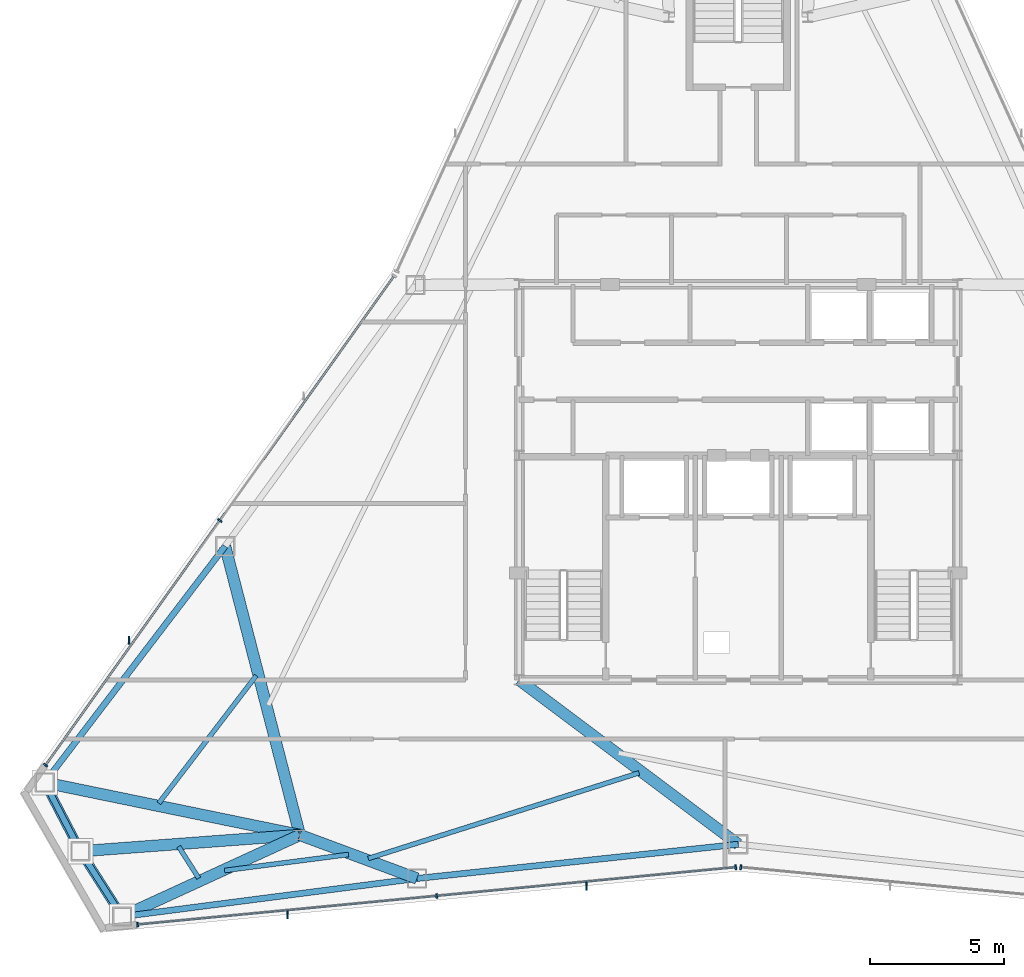
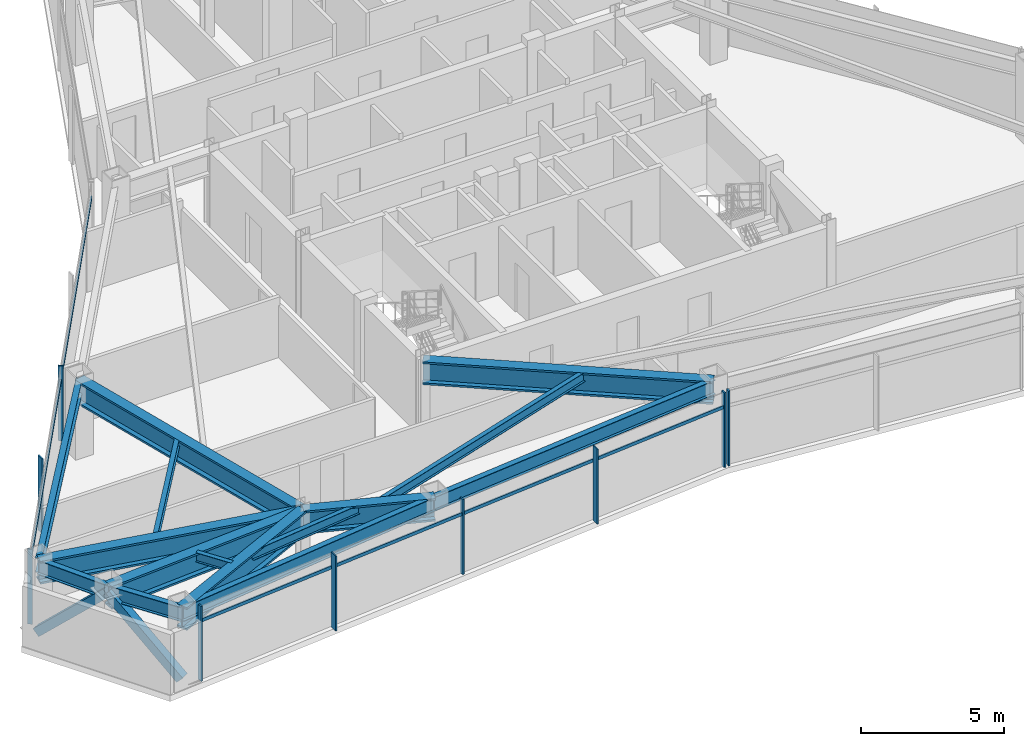
# One storey, part 3 of 11: 15 beams, 13 members, 3 elements without a shape of their own.
"""IFC4 building model written with IfcOpenShell, lengths in metres."""

import ifcopenshell
import ifcopenshell.guid

model = None  # the IFC model being written
_history = None  # IfcOwnerHistory: only IFC2X3 demands one
_inside = {}  # id of a spatial element -> (the spatial element, [elements in it])
_under = {}  # id of a project, library or spatial element -> (it, [spatial elements below it])
_declared = {}  # id of a project -> (the project, [libraries it declares])
_typed = {}  # id of a type object -> (the type object, [elements of that type])
_made_of = {}  # id of a material, layer set ... -> (it, [elements and type objects made of it])


def new_model(schema):
    """Start an empty IFC model of exactly this schema.

    Asked for "IFC4X3", IfcOpenShell would pick the latest addendum, in which some entities
    have other attributes; the version numbers below select the first issue.
    IFC2X3 requires an IfcOwnerHistory on every rooted entity: one is made here for all.
    """
    global model, _history
    if schema == "IFC4X3":
        model = ifcopenshell.file(schema_version=(4, 3, 0, 0))
    else:
        model = ifcopenshell.file(schema=schema)
    _inside.clear()
    _under.clear()
    _declared.clear()
    _typed.clear()
    _made_of.clear()
    _history = None
    if model.schema == "IFC2X3":
        org = make("IfcOrganization", Name="unknown")
        user = make(
            "IfcPersonAndOrganization",
            ThePerson=make("IfcPerson", FamilyName="unknown"),
            TheOrganization=org,
        )
        app = make(
            "IfcApplication",
            ApplicationDeveloper=org,
            Version="unknown",
            ApplicationFullName="unknown",
            ApplicationIdentifier="unknown",
        )
        _history = make(
            "IfcOwnerHistory",
            OwningUser=user,
            OwningApplication=app,
            ChangeAction="ADDED",
            CreationDate=0,
        )
    return model


def make(cls, **values):
    """One entity of the class cls with the attributes given. An attribute that is None is left unset."""
    return model.create_entity(
        cls, **{name: value for name, value in values.items() if value is not None}
    )


def rooted(cls, **values):
    """An entity with a GlobalId (a new one), such as an element, a storey or a relation."""
    return make(cls, GlobalId=ifcopenshell.guid.new(), OwnerHistory=_history, **values)


def si_unit(unit_type, name, prefix=None):
    """IfcSIUnit, for example si_unit("LENGTHUNIT", "METRE", prefix="MILLI")."""
    return make("IfcSIUnit", UnitType=unit_type, Prefix=prefix, Name=name)


def assignment(units):
    """IfcUnitAssignment: the units of a project."""
    return None if units is None else make("IfcUnitAssignment", Units=units)


def point(xyz):
    """IfcCartesianPoint."""
    return None if xyz is None else make("IfcCartesianPoint", Coordinates=xyz)


def direction(xyz):
    """IfcDirection."""
    return None if xyz is None else make("IfcDirection", DirectionRatios=xyz)


def frame(location, z_axis=None, x_axis=None):
    """IfcAxis2Placement3D, a coordinate frame: its origin and axes. An axis left out is left unset."""
    return make(
        "IfcAxis2Placement3D",
        Location=point(location),
        Axis=direction(z_axis),
        RefDirection=direction(x_axis),
    )


def frame_2d(location, x_axis=None):
    """IfcAxis2Placement2D, a coordinate frame in the plane: its origin and x axis."""
    return make(
        "IfcAxis2Placement2D", Location=point(location), RefDirection=direction(x_axis)
    )


def origin():
    """The frame at (0, 0, 0) with its axes left unset."""
    return frame((0.0, 0.0, 0.0))


def origin_2d():
    """The frame at (0, 0) in the plane with its x axis left unset."""
    return frame_2d((0.0, 0.0))


def place(relative_to, where):
    """IfcLocalPlacement: puts the frame where relative to a parent placement (None: the world)."""
    return make(
        "IfcLocalPlacement", PlacementRelTo=relative_to, RelativePlacement=where
    )


def context(
    kind, dimensions, precision=None, world=None, true_north=None, identifier=None
):
    """IfcGeometricRepresentationContext, for example the 3D "Model" context."""
    return make(
        "IfcGeometricRepresentationContext",
        ContextIdentifier=identifier,
        ContextType=kind,
        CoordinateSpaceDimension=dimensions,
        Precision=precision,
        WorldCoordinateSystem=world,
        TrueNorth=true_north,
    )


def subcontext(parent, identifier, kind, view, scale=None):
    """IfcGeometricRepresentationSubContext, for example "Body" below "Model"."""
    return make(
        "IfcGeometricRepresentationSubContext",
        ContextIdentifier=identifier,
        ContextType=kind,
        ParentContext=parent,
        TargetScale=scale,
        TargetView=view,
    )


def project(units=None, contexts=None):
    """IfcProject with its units and contexts."""
    return rooted(
        "IfcProject",
        Name="project",
        RepresentationContexts=contexts,
        UnitsInContext=assignment(units),
    )


def spatial(cls, under=None, at=None, **own):
    """A site, building, storey or space (cls), placed at a placement, below another one or the project."""
    s = rooted(cls, ObjectPlacement=at, **own)
    if under is not None:
        _under.setdefault(under.id(), (under, []))[1].append(s)
    return s


def profile(cls, at=None, kind="AREA", **sizes):
    """A parametric profile (cls). Its sizes go by their IFC names, for example OverallWidth=200.0."""
    return make(cls, ProfileType=kind, Position=at, **sizes)


def rectangle(**sizes):
    """IfcRectangleProfileDef."""
    return profile("IfcRectangleProfileDef", **sizes)


def hollow_rectangle(**sizes):
    """IfcRectangleHollowProfileDef."""
    return profile("IfcRectangleHollowProfileDef", **sizes)


def i_section(**sizes):
    """IfcIShapeProfileDef."""
    return profile("IfcIShapeProfileDef", **sizes)


def extrude(swept, where, along, depth):
    """IfcExtrudedAreaSolid: the profile swept, set in the frame where, extruded along a direction by depth."""
    return make(
        "IfcExtrudedAreaSolid",
        SweptArea=swept,
        Position=where,
        ExtrudedDirection=direction(along),
        Depth=depth,
    )


def shape(context_of_items, identifier, shape_type, items):
    """IfcShapeRepresentation: the items that make up one representation, for example the "Body"."""
    return make(
        "IfcShapeRepresentation",
        ContextOfItems=context_of_items,
        RepresentationIdentifier=identifier,
        RepresentationType=shape_type,
        Items=items,
    )


def source(mapping_origin, context_of_items, identifier, shape_type, items):
    """IfcRepresentationMap: a shape defined once, which mapped items show again and again."""
    return make(
        "IfcRepresentationMap",
        MappingOrigin=mapping_origin,
        MappedRepresentation=shape(context_of_items, identifier, shape_type, items),
    )


def transform(
    local_origin,
    x_axis=None,
    y_axis=None,
    z_axis=None,
    scale=None,
    scale2=None,
    scale3=None,
    uniform=True,
):
    """IfcCartesianTransformationOperator3D, or its non-uniform kind. x_axis, y_axis, z_axis: its Axis1, 2, 3."""
    if uniform:
        return make(
            "IfcCartesianTransformationOperator3D",
            Axis1=direction(x_axis),
            Axis2=direction(y_axis),
            LocalOrigin=point(local_origin),
            Scale=scale,
            Axis3=direction(z_axis),
        )
    return make(
        "IfcCartesianTransformationOperator3DnonUniform",
        Axis1=direction(x_axis),
        Axis2=direction(y_axis),
        LocalOrigin=point(local_origin),
        Scale=scale,
        Axis3=direction(z_axis),
        Scale2=scale2,
        Scale3=scale3,
    )


def mapped(mapping_source, mapping_target):
    """IfcMappedItem: shows the shape of a source again, moved by a transform."""
    return make(
        "IfcMappedItem", MappingSource=mapping_source, MappingTarget=mapping_target
    )


def material(Name=None, Category=None):
    """IfcMaterial."""
    return make("IfcMaterial", Name=Name, Category=Category)


def layer(
    of_material, thickness, ventilated=None, Name=None, Category=None, Priority=None
):
    """IfcMaterialLayer: one layer of a wall or slab, of a material (None: an air gap)."""
    return make(
        "IfcMaterialLayer",
        Material=of_material,
        LayerThickness=thickness,
        IsVentilated=ventilated,
        Name=Name,
        Category=Category,
        Priority=Priority,
    )


def layer_set(layers, Name=None):
    """IfcMaterialLayerSet."""
    return make("IfcMaterialLayerSet", MaterialLayers=layers, LayerSetName=Name)


def material_profile(
    of_material, cross_section, Name=None, Category=None, Priority=None
):
    """IfcMaterialProfile: a cross section and its material."""
    return make(
        "IfcMaterialProfile",
        Name=Name,
        Material=of_material,
        Profile=cross_section,
        Priority=Priority,
        Category=Category,
    )


def profile_set(profiles, Name=None, composite=None):
    """IfcMaterialProfileSet."""
    return make(
        "IfcMaterialProfileSet",
        Name=Name,
        MaterialProfiles=profiles,
        CompositeProfile=composite,
    )


def made_of(thing, what):
    """Note that an element or type object is made of a material, layer set ...; save() writes the relation."""
    if what is not None:
        _made_of.setdefault(what.id(), (what, []))[1].append(thing)
    return thing


def type_object(cls, material=None, **own):
    """A type object (cls), such as IfcWallType, which elements share."""
    return made_of(rooted(cls, **own), material)


def type_shapes(of_type, sources):
    """Give a type object the sources (RepresentationMaps) that its elements show as mapped items."""
    of_type.RepresentationMaps = sources


def element(
    cls,
    number,
    at=None,
    inside=None,
    cuts=None,
    type_object=None,
    material=None,
    context=None,
    identifier="Body",
    shape_type=None,
    held_by="IfcProductDefinitionShape",
    body=None,
    shapes=None,
    **own,
):
    """One element of the class cls, such as IfcWall. Its Tag is "e" and its number.

    at: its placement. inside: the storey or other place that contains it. cuts: it is an
    opening in that element (IfcRelVoidsElement). A single representation is given by context,
    identifier, shape_type and body (its items); several are given by shapes. held_by: the class
    of the entity that holds the representations. save() writes the other relations.
    """
    e = rooted(cls, Tag="e%d" % number, ObjectPlacement=at, **own)
    if body is not None:
        shapes = [shape(context, identifier, shape_type, body)]
    if shapes is not None:
        e.Representation = make(held_by, Representations=shapes)
    if inside is not None:
        _inside.setdefault(inside.id(), (inside, []))[1].append(e)
    if cuts is not None:
        rooted(
            "IfcRelVoidsElement", RelatingBuildingElement=cuts, RelatedOpeningElement=e
        )
    if type_object is not None:
        _typed.setdefault(type_object.id(), (type_object, []))[1].append(e)
    return made_of(e, material)


def aggregate(whole, parts):
    """IfcRelAggregates: a whole, such as a stair, and the parts it consists of."""
    return rooted("IfcRelAggregates", RelatingObject=whole, RelatedObjects=parts)


def save(model, path):
    """Write the relations noted so far, then the file.

    IfcRelAggregates (storeys below a building ...), IfcRelContainedInSpatialStructure (elements
    in a storey), IfcRelDefinesByType, IfcRelAssociatesMaterial and IfcRelDeclares: one each for
    every whole, place, type object, material and project.
    """
    for whole, parts in _under.values():
        aggregate(whole, parts)
    for where, things in _inside.values():
        rooted(
            "IfcRelContainedInSpatialStructure",
            RelatedElements=things,
            RelatingStructure=where,
        )
    for kind, things in _typed.values():
        rooted("IfcRelDefinesByType", RelatedObjects=things, RelatingType=kind)
    for what, things in _made_of.values():
        rooted("IfcRelAssociatesMaterial", RelatedObjects=things, RelatingMaterial=what)
    for by, libraries in _declared.values():
        rooted("IfcRelDeclares", RelatingContext=by, RelatedDefinitions=libraries)
    model.write(path)


model = new_model("IFC4")

# Units and contexts
model_context = context("Model", 3, precision=1e-05, world=origin(), true_north=direction((0.0, 1.0)))
body_context = subcontext(model_context, "Body", "Model", "MODEL_VIEW")
ifc_project = project(units=[si_unit("LENGTHUNIT", "METRE"), si_unit("AREAUNIT", "SQUARE_METRE"), si_unit("VOLUMEUNIT", "CUBIC_METRE"), si_unit("PLANEANGLEUNIT", "RADIAN"), si_unit("MASSUNIT", "GRAM", prefix="KILO")], contexts=[model_context])

# Site, building, storey
site_placement = place(None, origin())
site = spatial("IfcSite", under=ifc_project, at=site_placement, CompositionType="ELEMENT")
building_placement = place(site_placement, origin())
building = spatial("IfcBuilding", under=site, at=building_placement, Name="Varakhsha Concourse Tower", CompositionType="ELEMENT")
storey_placement = place(building_placement, frame((0.0, 0.0, 246.89990234375)))
storey = spatial("IfcBuildingStorey", under=building, at=storey_placement, Name="L70", CompositionType="ELEMENT", Elevation=246.89990234375)

# Beams
ifc_material_1 = material(Name="Structural Steel ASTM A992 Grade 50", Category="steel")
ifc_material_profile_1 = material_profile(ifc_material_1, i_section(OverallWidth=0.177978515625, OverallDepth=0.406982421875, WebThickness=0.008056640625, FlangeThickness=0.012939453125, at=origin_2d()), Name="W16X40")
ifc_profile_set_1 = profile_set([ifc_material_profile_1], Name="Structural Steel ASTM A992 Grade 50")
beam_type_1 = type_object("IfcBeamType", Name="BM-JST-W16X40", PredefinedType="JOIST", material=ifc_profile_set_1)
beam_1_placement = place(storey_placement, frame((21.966796875, 16.562744140625, 2.99658203125), z_axis=(-0.606952330992, -0.794738238606, 0.0), x_axis=(0.794738238606, -0.606952330992, 0.0)))
element("IfcBeam", 1, at=beam_1_placement, inside=storey, type_object=beam_type_1, Name="BM-TJST-L70-06", PredefinedType="JOIST", context=body_context, shape_type="SweptSolid", body=[
    extrude(i_section(OverallWidth=0.177978515625, OverallDepth=0.406982421875, WebThickness=0.008056640625, FlangeThickness=0.012939453125, at=origin_2d()), origin(), (0.0, 0.0, 1.0), 6.009033203125),
])
beam_2_placement = place(storey_placement, frame((19.0615234375, 10.16650390625, 2.99658203125), z_axis=(0.537325488546, -0.84337495775, 0.0), x_axis=(0.84337495775, 0.537325488546, 0.0)))
element("IfcBeam", 2, at=beam_2_placement, inside=storey, type_object=beam_type_1, Name="BM-TJST-L70-08", PredefinedType="JOIST", context=body_context, shape_type="SweptSolid", body=[
    extrude(i_section(OverallWidth=0.177978515625, OverallDepth=0.406982421875, WebThickness=0.008056640625, FlangeThickness=0.012939453125, at=origin_2d()), origin(), (0.0, 0.0, 1.0), 1.404052734375),
])
beam_3_placement = place(storey_placement, frame((20.7822265625, 9.270263671875, 2.99658203125), z_axis=(0.991739333066, 0.128269619359, 0.0), x_axis=(-0.128269619359, 0.991739333066, 0.0)))
element("IfcBeam", 3, at=beam_3_placement, inside=storey, type_object=beam_type_1, Name="BM-TJST-L70-09", PredefinedType="JOIST", context=body_context, shape_type="SweptSolid", body=[
    extrude(i_section(OverallWidth=0.177978515625, OverallDepth=0.406982421875, WebThickness=0.008056640625, FlangeThickness=0.012939453125, at=origin_2d()), origin(), (0.0, 0.0, 1.0), 4.674560546875),
])
beam_4_placement = place(storey_placement, frame((26.15771484375, 9.721923828125, 2.99658203125), z_axis=(0.953490927585, 0.301421716226, 0.0), x_axis=(-0.301421716226, 0.953490927585, 0.0)))
element("IfcBeam", 4, at=beam_4_placement, inside=storey, type_object=beam_type_1, Name="BM-TJST-L70-10", PredefinedType="JOIST", context=body_context, shape_type="SweptSolid", body=[
    extrude(i_section(OverallWidth=0.177978515625, OverallDepth=0.406982421875, WebThickness=0.008056640625, FlangeThickness=0.012939453125, at=origin_2d()), origin(), (0.0, 0.0, 1.0), 10.62353515625),
])
ifc_material_profile_2 = material_profile(ifc_material_1, i_section(OverallWidth=0.22900390625, OverallDepth=0.612060546875, WebThickness=0.011962890625, FlangeThickness=0.02001953125, at=origin_2d()), Name="W24X84")
ifc_profile_set_2 = profile_set([ifc_material_profile_2], Name="Structural Steel ASTM A992 Grade 50")
beam_type_2 = type_object("IfcBeamType", Name="BM-SPAN-W24X84", PredefinedType="SPANDREL", material=ifc_profile_set_2)
beam_5_placement = place(storey_placement, frame((20.802978515625, 21.404052734375, 2.89404296875), z_axis=(-0.606965274868, -0.794728353027, 0.0), x_axis=(0.794728353027, -0.606965274868, 0.0)))
element("IfcBeam", 5, at=beam_5_placement, inside=storey, type_object=beam_type_2, Name="BM-SPAN-L70-06", PredefinedType="SPANDREL", context=body_context, shape_type="SweptSolid", body=[
    extrude(i_section(OverallWidth=0.22900390625, OverallDepth=0.612060546875, WebThickness=0.011962890625, FlangeThickness=0.02001953125, at=origin_2d()), origin(), (0.0, 0.0, 1.0), 11.123779296875),
])
beam_6_placement = place(storey_placement, frame((14.05126953125, 12.563720703125, 2.89404296875), z_axis=(0.461636364541, -0.887069257123, 0.0), x_axis=(0.887069257123, 0.461636364541, 0.0)))
element("IfcBeam", 6, at=beam_6_placement, inside=storey, type_object=beam_type_2, Name="BM-SPAN-L70-07", PredefinedType="SPANDREL", context=body_context, shape_type="SweptSolid", body=[
    extrude(i_section(OverallWidth=0.22900390625, OverallDepth=0.612060546875, WebThickness=0.011962890625, FlangeThickness=0.02001953125, at=origin_2d()), origin(), (0.0, 0.0, 1.0), 2.899658203125),
])
beam_7_placement = place(storey_placement, frame((15.389892578125, 9.991455078125, 2.89404296875), z_axis=(0.537387469164, -0.843335465865, 0.0), x_axis=(0.843335465865, 0.537387469164, 0.0)))
element("IfcBeam", 7, at=beam_7_placement, inside=storey, type_object=beam_type_2, Name="BM-SPAN-L70-08", PredefinedType="SPANDREL", context=body_context, shape_type="SweptSolid", body=[
    extrude(i_section(OverallWidth=0.22900390625, OverallDepth=0.612060546875, WebThickness=0.011962890625, FlangeThickness=0.02001953125, at=origin_2d()), origin(), (0.0, 0.0, 1.0), 2.89990234375),
])
beam_8_placement = place(storey_placement, frame((16.9482421875, 7.5458984375, 2.89404296875), z_axis=(0.991737290812, 0.128285408418, 0.0), x_axis=(-0.128285408418, 0.991737290812, 0.0)))
element("IfcBeam", 8, at=beam_8_placement, inside=storey, type_object=beam_type_2, Name="BM-SPAN-L70-09", PredefinedType="SPANDREL", context=body_context, shape_type="SweptSolid", body=[
    extrude(i_section(OverallWidth=0.22900390625, OverallDepth=0.612060546875, WebThickness=0.011962890625, FlangeThickness=0.02001953125, at=origin_2d()), origin(), (0.0, 0.0, 1.0), 11.12353515625),
])
beam_9_placement = place(storey_placement, frame((27.97998046875, 8.972900390625, 2.89404296875), z_axis=(0.994383939653, 0.1058327953, 0.0), x_axis=(-0.1058327953, 0.994383939653, 0.0)))
element("IfcBeam", 9, at=beam_9_placement, inside=storey, type_object=beam_type_2, Name="BM-SPAN-L70-10", PredefinedType="SPANDREL", context=body_context, shape_type="SweptSolid", body=[
    extrude(i_section(OverallWidth=0.22900390625, OverallDepth=0.612060546875, WebThickness=0.011962890625, FlangeThickness=0.02001953125, at=origin_2d()), origin(), (0.0, 0.0, 1.0), 12.087890625),
])
ifc_material_profile_3 = material_profile(ifc_material_1, i_section(OverallWidth=0.427978515625, OverallDepth=0.97509765625, WebThickness=0.050048828125, FlangeThickness=0.0810546875, at=origin_2d()), Name="W36X395")
ifc_profile_set_3 = profile_set([ifc_material_profile_3], Name="Structural Steel ASTM A992 Grade 50")
beam_type_3 = type_object("IfcBeamType", Name="BM-XFER-W36X395", PredefinedType="USERDEFINED", material=ifc_profile_set_3)
beam_10_placement = place(storey_placement, frame((23.60009765625, 10.60009765625, 2.712646484375), z_axis=(-0.250634171989, 0.968081872484, 0.0), x_axis=(-0.968081872484, -0.250634171989, 0.0)))
element("IfcBeam", 10, at=beam_10_placement, inside=storey, type_object=beam_type_3, Name="L70 Radial Floor Girder 06", ObjectType="GIRDER", PredefinedType="USERDEFINED", context=body_context, shape_type="SweptSolid", body=[
    extrude(i_section(OverallWidth=0.427978515625, OverallDepth=0.97509765625, WebThickness=0.050048828125, FlangeThickness=0.0810546875, at=origin_2d()), origin(), (0.0, 0.0, 1.0), 11.16015625),
])
beam_11_placement = place(storey_placement, frame((23.60009765625, 10.60009765625, 2.712646484375), z_axis=(-0.979503861801, 0.201425382503, 0.0), x_axis=(-0.201425382503, -0.979503861801, 0.0)))
element("IfcBeam", 11, at=beam_11_placement, inside=storey, type_object=beam_type_3, Name="L70 Radial Floor Girder 07", ObjectType="GIRDER", PredefinedType="USERDEFINED", context=body_context, shape_type="SweptSolid", body=[
    extrude(i_section(OverallWidth=0.427978515625, OverallDepth=0.97509765625, WebThickness=0.050048828125, FlangeThickness=0.0810546875, at=origin_2d()), origin(), (0.0, 0.0, 1.0), 9.74853515625),
])
beam_12_placement = place(storey_placement, frame((23.60009765625, 10.60009765625, 2.712646484375), z_axis=(-0.997263464351, -0.073929579132, 0.0), x_axis=(0.073929579132, -0.997263464351, 0.0)))
element("IfcBeam", 12, at=beam_12_placement, inside=storey, type_object=beam_type_3, Name="L70 Radial Floor Girder 08", ObjectType="GIRDER", PredefinedType="USERDEFINED", context=body_context, shape_type="SweptSolid", body=[
    extrude(i_section(OverallWidth=0.427978515625, OverallDepth=0.97509765625, WebThickness=0.050048828125, FlangeThickness=0.0810546875, at=origin_2d()), origin(), (0.0, 0.0, 1.0), 8.232666015625),
])
beam_13_placement = place(storey_placement, frame((23.60009765625, 10.60009765625, 2.712646484375), z_axis=(-0.908783517298, -0.417267921948, 0.0), x_axis=(0.417267921948, -0.908783517298, 0.0)))
element("IfcBeam", 13, at=beam_13_placement, inside=storey, type_object=beam_type_3, Name="L70 Radial Floor Girder 09", ObjectType="GIRDER", PredefinedType="USERDEFINED", context=body_context, shape_type="SweptSolid", body=[
    extrude(i_section(OverallWidth=0.427978515625, OverallDepth=0.97509765625, WebThickness=0.050048828125, FlangeThickness=0.0810546875, at=origin_2d()), origin(), (0.0, 0.0, 1.0), 7.319580078125),
])
beam_14_placement = place(storey_placement, frame((23.60009765625, 10.60009765625, 2.712646484375), z_axis=(0.937398468599, -0.348258684125, 0.0), x_axis=(0.348258684125, 0.937398468599, 0.0)))
element("IfcBeam", 14, at=beam_14_placement, inside=storey, type_object=beam_type_3, Name="L70 Radial Floor Girder 10", ObjectType="GIRDER", PredefinedType="USERDEFINED", context=body_context, shape_type="SweptSolid", body=[
    extrude(i_section(OverallWidth=0.427978515625, OverallDepth=0.97509765625, WebThickness=0.050048828125, FlangeThickness=0.0810546875, at=origin_2d()), origin(), (0.0, 0.0, 1.0), 4.67236328125),
])
beam_15_placement = place(storey_placement, frame((31.800048828125, 16.39990234375, 2.712646484375), z_axis=(0.800105756753, -0.5998589651, 0.0), x_axis=(0.5998589651, 0.800105756753, 0.0)))
element("IfcBeam", 15, at=beam_15_placement, inside=storey, type_object=beam_type_3, Name="L70 Radial Floor Girder 11", ObjectType="GIRDER", PredefinedType="USERDEFINED", context=body_context, shape_type="SweptSolid", body=[
    extrude(i_section(OverallWidth=0.427978515625, OverallDepth=0.97509765625, WebThickness=0.050048828125, FlangeThickness=0.0810546875, at=origin_2d()), origin(), (0.0, 0.0, 1.0), 10.24853515625),
])

# Members
ifc_material_2 = material(Name="Structural Steel ASTM A500 Grade C", Category="steel")
ifc_material_profile_4 = material_profile(ifc_material_2, hollow_rectangle(XDim=0.35009765625, YDim=0.35009765625, WallThickness=0.01611328125, at=origin_2d()), Name="HSS 350x350x16")
ifc_profile_set_4 = profile_set([ifc_material_profile_4], Name="Structural Steel ASTM A500 Grade C")
member_type_1 = type_object("IfcMemberType", Name="MB-TUBE-HSS350", PredefinedType="BRACE", material=ifc_profile_set_4)
shared_shape_1 = source(origin(), body_context, "Body", "SweptSolid", [
    extrude(hollow_rectangle(XDim=0.35009765625, YDim=0.35009765625, WallThickness=0.01611328125, at=origin_2d()), origin(), (0.0, 0.0, 1.0), 4.01708984375),
])
type_shapes(member_type_1, [shared_shape_1])
for number, where, z_axis, x_axis, name in (
    (16, (14.05126953125, 12.563720703125, 0.1201171875), (0.333231894371, -0.64033033724, 0.692050261024), (0.887069257123, 0.461636364541, 0.0), "L70 Wind-Corner Tube Brace B03"),
    (17, (16.9482421875, 7.5458984375, 0.1201171875), (-0.387920937581, 0.608773935728, 0.692034422095), (-0.843335465865, -0.537387469164, 0.0), "L70 Wind-Corner Tube Brace B04"),
):
    element("IfcMember", number, at=place(storey_placement, frame(where, z_axis=z_axis, x_axis=x_axis)), inside=storey, type_object=member_type_1, Name=name, PredefinedType="BRACE", context=body_context, shape_type="MappedRepresentation", body=[
        mapped(shared_shape_1, transform((0.0, 0.0, 0.0), scale=1.0)),
    ])

# Curtain wall, member
ifc_material_3 = material(Name="Anodised Bronze Architectural Aluminium AA 6063-T6", Category="aluminium")
ifc_layer = layer(ifc_material_3, 0.199951171875, Name="CW-SYS-05")
ifc_layer_set = layer_set([ifc_layer], Name="Anodised Bronze Architectural Aluminium AA 6063-T6")
curtain_wall_type = type_object("IfcCurtainWallType", Name="CW-SYS-05", PredefinedType="NOTDEFINED", material=ifc_layer_set)
curtain_wall_1_placement = place(storey_placement, origin())
curtain_wall_1 = element("IfcCurtainWall", 18, at=curtain_wall_1_placement, inside=storey, type_object=curtain_wall_type, Name="L70 Crystal Curtain Wall F3", PredefinedType="NOTDEFINED")
ifc_material_profile_5 = material_profile(ifc_material_3, rectangle(XDim=0.06005859375, YDim=0.139892578125, at=origin_2d()), Name="CWT-140X60")
ifc_profile_set_5 = profile_set([ifc_material_profile_5], Name="Anodised Bronze Architectural Aluminium AA 6063-T6")
member_type_2 = type_object("IfcMemberType", Name="CWT-140X60", PredefinedType="USERDEFINED", material=ifc_profile_set_5)
shared_shape_2 = source(origin(), body_context, "Body", "SweptSolid", [
    extrude(rectangle(XDim=0.06005859375, YDim=0.139892578125, at=origin_2d()), origin(), (0.0, 0.0, 1.0), 22.4814453125),
])
type_shapes(member_type_2, [shared_shape_2])
member_1_placement = place(storey_placement, frame((14.082275390625, 13.213134765625, 2.550048828125), z_axis=(0.580307112199, 0.814397725642, 0.0), x_axis=(-0.814397725642, 0.580307112199, 0.0)))
member_1 = element("IfcMember", 19, at=member_1_placement, type_object=member_type_2, Name="CW-L70-F3 Transom 01", ObjectType="TRANSOM", PredefinedType="USERDEFINED", context=body_context, shape_type="MappedRepresentation", body=[
    mapped(shared_shape_2, transform((0.0, 0.0, 0.0), scale=1.0)),
])

curtain_wall_2_placement = place(storey_placement, origin())
curtain_wall_2 = element("IfcCurtainWall", 20, at=curtain_wall_2_placement, inside=storey, type_object=curtain_wall_type, Name="L70 Crystal Curtain Wall F5", PredefinedType="NOTDEFINED")
member_2_placement = place(storey_placement, frame((39.905029296875, 9.391845703125, 2.550048828125), z_axis=(-0.995442950153, -0.095358969119, 0.0), x_axis=(0.095358969119, -0.995442950153, 0.0)))
member_2 = element("IfcMember", 21, at=member_2_placement, type_object=member_type_2, Name="CW-L70-F5 Transom 01", ObjectType="TRANSOM", PredefinedType="USERDEFINED", context=body_context, shape_type="MappedRepresentation", body=[
    mapped(shared_shape_2, transform((0.0, 0.0, 0.0), scale=1.0)),
])

# Member
ifc_material_profile_6 = material_profile(ifc_material_3, rectangle(XDim=0.06494140625, YDim=0.179931640625, at=origin_2d()), Name="CWM-180X65")
ifc_profile_set_6 = profile_set([ifc_material_profile_6], Name="Anodised Bronze Architectural Aluminium AA 6063-T6")
member_type_3 = type_object("IfcMemberType", Name="CWM-180X65", PredefinedType="MULLION", material=ifc_profile_set_6)
shared_shape_3 = source(origin(), body_context, "Body", "SweptSolid", [
    extrude(rectangle(XDim=0.06494140625, YDim=0.179931640625, at=origin_2d()), origin(), (0.0, 0.0, 1.0), 3.2001953125),
])
type_shapes(member_type_3, [shared_shape_3])
member_3_placement = place(storey_placement, frame((14.082275390625, 13.213134765625, 0.0), z_axis=(0.0, 0.0, 1.0), x_axis=(0.580306455883, 0.814398193306, 0.0)))
member_3 = element("IfcMember", 22, at=member_3_placement, type_object=member_type_3, Name="CW-L70-F3 Mullion 00", PredefinedType="MULLION", context=body_context, shape_type="MappedRepresentation", body=[
    mapped(shared_shape_3, transform((0.0, 0.0, 0.0), scale=1.0)),
])

member_4_placement = place(storey_placement, frame((20.60546875, 22.367431640625, 0.0), z_axis=(0.0, 0.0, 1.0), x_axis=(0.580306455883, 0.814398193306, 0.0)))
member_4 = element("IfcMember", 23, at=member_4_placement, type_object=member_type_3, Name="CW-L70-F3 Mullion 01", PredefinedType="MULLION", context=body_context, shape_type="MappedRepresentation", body=[
    mapped(shared_shape_3, transform((0.0, 0.0, 0.0), scale=1.0)),
])

member_5_placement = place(storey_placement, frame((39.905029296875, 9.391845703125, 0.0), z_axis=(0.0, 0.0, 1.0), x_axis=(-0.995442585703, -0.095362773497, 0.0)))
member_5 = element("IfcMember", 24, at=member_5_placement, type_object=member_type_3, Name="CW-L70-F5 Mullion 00", PredefinedType="MULLION", context=body_context, shape_type="MappedRepresentation", body=[
    mapped(shared_shape_3, transform((0.0, 0.0, 0.0), scale=1.0)),
])

member_6_placement = place(storey_placement, frame((28.715576171875, 8.31982421875, 0.0), z_axis=(0.0, 0.0, 1.0), x_axis=(-0.995442585703, -0.095362773497, 0.0)))
member_6 = element("IfcMember", 25, at=member_6_placement, type_object=member_type_3, Name="CW-L70-F5 Mullion 01", PredefinedType="MULLION", context=body_context, shape_type="MappedRepresentation", body=[
    mapped(shared_shape_3, transform((0.0, 0.0, 0.0), scale=1.0)),
])

member_7_placement = place(storey_placement, frame((17.526123046875, 7.248046875, 0.0), z_axis=(0.0, 0.0, 1.0), x_axis=(-0.995442585703, -0.095362773497, 0.0)))
member_7 = element("IfcMember", 26, at=member_7_placement, type_object=member_type_3, Name="CW-L70-F5 Mullion 02", PredefinedType="MULLION", context=body_context, shape_type="MappedRepresentation", body=[
    mapped(shared_shape_3, transform((0.0, 0.0, 0.0), scale=1.0)),
])

# Curtain wall, member
curtain_wall_3_placement = place(storey_placement, origin())
curtain_wall_3 = element("IfcCurtainWall", 27, at=curtain_wall_3_placement, inside=storey, type_object=curtain_wall_type, Name="L70 Crystal Curtain Wall F6", PredefinedType="NOTDEFINED")
member_8_placement = place(storey_placement, frame((40.094970703125, 9.391845703125, 0.0), z_axis=(0.0, 0.0, 1.0), x_axis=(-0.995442585703, 0.095362773497, 0.0)))
member_8 = element("IfcMember", 28, at=member_8_placement, type_object=member_type_3, Name="CW-L70-F6 Mullion 02", PredefinedType="MULLION", context=body_context, shape_type="MappedRepresentation", body=[
    mapped(shared_shape_3, transform((0.0, 0.0, 0.0), scale=1.0)),
])
aggregate(curtain_wall_3, [member_8])

# Member
ifc_material_profile_7 = material_profile(ifc_material_3, rectangle(XDim=0.054931640625, YDim=0.300048828125, at=origin_2d()), Name="FIN-BRZ-300")
ifc_profile_set_7 = profile_set([ifc_material_profile_7], Name="Anodised Bronze Architectural Aluminium AA 6063-T6")
member_type_4 = type_object("IfcMemberType", Name="FIN-BRZ-300", PredefinedType="USERDEFINED", material=ifc_profile_set_7)
shared_shape_4 = source(origin(), body_context, "Body", "SweptSolid", [
    extrude(rectangle(XDim=0.054931640625, YDim=0.300048828125, at=origin_2d()), origin(), (0.0, 0.0, 1.0), 3.2001953125),
])
type_shapes(member_type_4, [shared_shape_4])
member_9_placement = place(storey_placement, frame((17.20947265625, 17.885986328125, 0.0), z_axis=(0.0, 0.0, 1.0), x_axis=(1.0, 0.0, 0.0)))
member_9 = element("IfcMember", 29, at=member_9_placement, type_object=member_type_4, Name="L70 Anodised Bronze Solar Fin F3-1", ObjectType="SOLAR FIN", PredefinedType="USERDEFINED", context=body_context, shape_type="MappedRepresentation", body=[
    mapped(shared_shape_4, transform((0.0, 0.0, 0.0), scale=1.0)),
])

aggregate(curtain_wall_1, [member_3, member_4, member_1, member_9])

member_10_placement = place(storey_placement, frame((34.326171875, 8.691650390625, 0.0), z_axis=(0.0, 0.0, 1.0), x_axis=(1.0, 0.0, 0.0)))
member_10 = element("IfcMember", 30, at=member_10_placement, type_object=member_type_4, Name="L70 Anodised Bronze Solar Fin F5-1", ObjectType="SOLAR FIN", PredefinedType="USERDEFINED", context=body_context, shape_type="MappedRepresentation", body=[
    mapped(shared_shape_4, transform((0.0, 0.0, 0.0), scale=1.0)),
])

member_11_placement = place(storey_placement, frame((23.13671875, 7.61962890625, 0.0), z_axis=(0.0, 0.0, 1.0), x_axis=(1.0, 0.0, 0.0)))
member_11 = element("IfcMember", 31, at=member_11_placement, type_object=member_type_4, Name="L70 Anodised Bronze Solar Fin F5-2", ObjectType="SOLAR FIN", PredefinedType="USERDEFINED", context=body_context, shape_type="MappedRepresentation", body=[
    mapped(shared_shape_4, transform((0.0, 0.0, 0.0), scale=1.0)),
])

aggregate(curtain_wall_2, [member_5, member_6, member_7, member_2, member_10, member_11])

save(model, "model.ifc")
